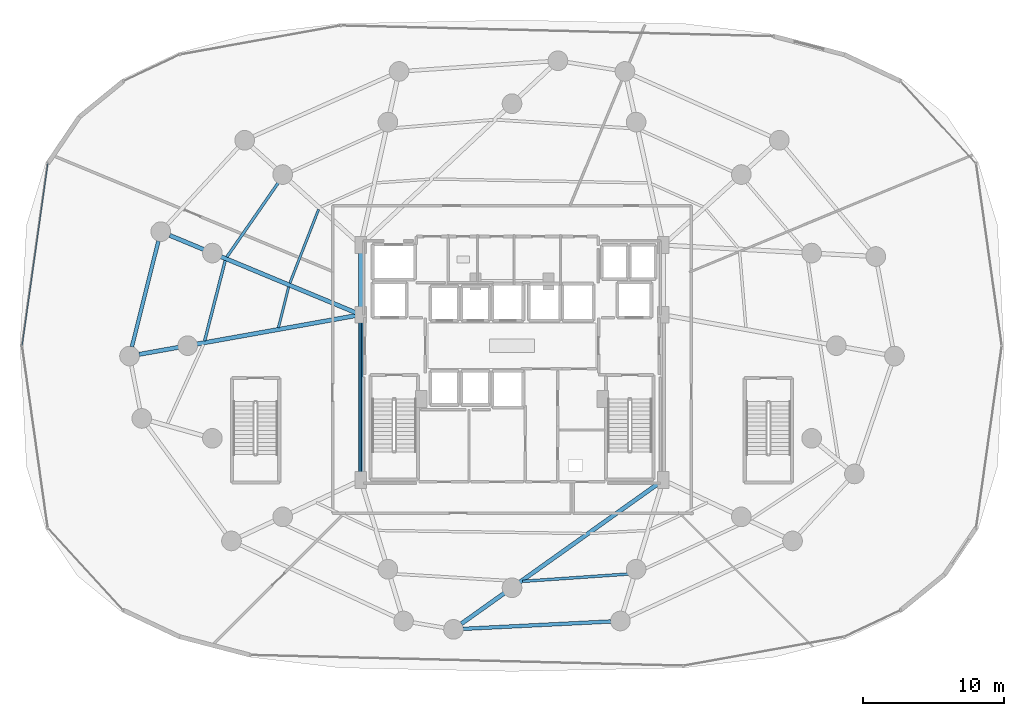
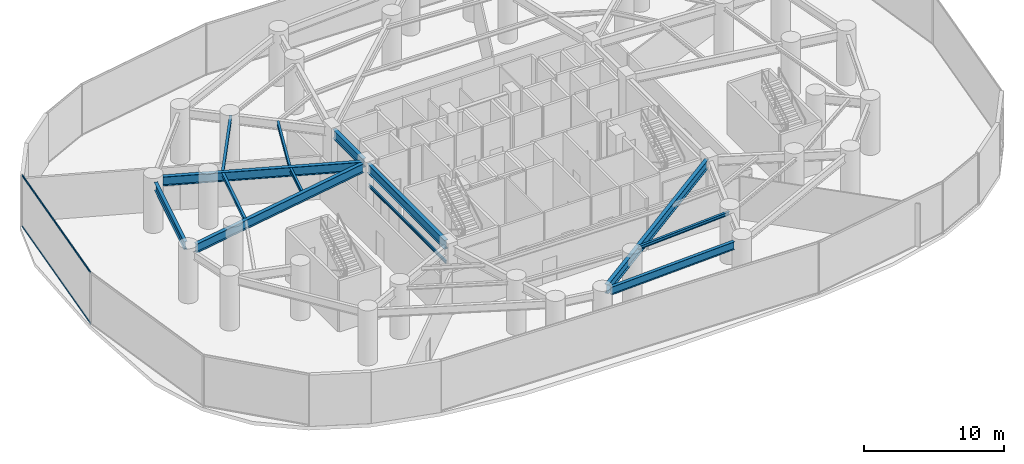
# One storey, part 7 of 26: 13 beams, 2 members, 1 element without a shape of its own.
"""IFC4 building model written with IfcOpenShell, lengths in metres."""

from ifc_helpers import new_model, si_unit, direction, frame, origin, origin_2d, place, context, subcontext, project, spatial, hollow_rectangle, i_section, extrude, material, material_profile, profile_set, type_object, element, aggregate, save


model = new_model("IFC4")

# Units and contexts
model_context = context("Model", 3, precision=1e-05, world=origin(), true_north=direction((0.0, 1.0)))
body_context = subcontext(model_context, "Body", "Model", "MODEL_VIEW")
ifc_project = project(units=[si_unit("LENGTHUNIT", "METRE"), si_unit("AREAUNIT", "SQUARE_METRE"), si_unit("VOLUMEUNIT", "CUBIC_METRE"), si_unit("PLANEANGLEUNIT", "RADIAN"), si_unit("MASSUNIT", "GRAM", prefix="KILO")], contexts=[model_context])

# Site, building, storey
site_placement = place(None, origin())
site = spatial("IfcSite", under=ifc_project, at=site_placement, CompositionType="ELEMENT")
building_placement = place(site_placement, origin())
building = spatial("IfcBuilding", under=site, at=building_placement, Name="Vorneva Point Tower", CompositionType="ELEMENT")
storey_placement = place(building_placement, frame((0.0, 0.0, 14.39990234375)))
storey = spatial("IfcBuildingStorey", under=building, at=storey_placement, Name="L03", CompositionType="ELEMENT", Elevation=14.39990234375)

# Beams
ifc_material_1 = material(Name="Steel S355", Category="steel")
ifc_material_profile_1 = material_profile(ifc_material_1, i_section(OverallWidth=0.300048828125, OverallDepth=0.7880859375, WebThickness=0.014404296875, FlangeThickness=0.02197265625, at=origin_2d()), Name="80Sh1")
ifc_profile_set_1 = profile_set([ifc_material_profile_1], Name="Steel S355")
beam_type_1 = type_object("IfcBeamType", Name="BM-GRD-80Sh1", PredefinedType="USERDEFINED", material=ifc_profile_set_1)
beam_1_placement = place(storey_placement, frame((13.67431640625, 33.84130859375, 4.086181640625), z_axis=(0.923446675724, -0.383726774014, 0.0), x_axis=(0.383726774014, 0.923446675724, 0.0)))
element("IfcBeam", 1, at=beam_1_placement, inside=storey, type_object=beam_type_1, Name="L03 Radial Primary Girder 08", ObjectType="GIRDER", PredefinedType="USERDEFINED", context=body_context, shape_type="SweptSolid", body=[
    extrude(i_section(OverallWidth=0.300048828125, OverallDepth=0.7880859375, WebThickness=0.014404296875, FlangeThickness=0.02197265625, at=origin_2d()), origin(), (0.0, 0.0, 1.0), 14.361083984375),
])
beam_2_placement = place(storey_placement, frame((11.4951171875, 25.382080078125, 4.086181640625), z_axis=(0.984378315353, 0.17606627236, 0.0), x_axis=(-0.17606627236, 0.984378315353, 0.0)))
element("IfcBeam", 2, at=beam_2_placement, inside=storey, type_object=beam_type_1, Name="L03 Radial Primary Girder 09", ObjectType="GIRDER", PredefinedType="USERDEFINED", context=body_context, shape_type="SweptSolid", body=[
    extrude(i_section(OverallWidth=0.300048828125, OverallDepth=0.7880859375, WebThickness=0.014404296875, FlangeThickness=0.02197265625, at=origin_2d()), origin(), (0.0, 0.0, 1.0), 15.664794921875),
])
beam_3_placement = place(storey_placement, frame((34.40087890625, 6.23876953125, 4.086181640625), z_axis=(0.814753215517, 0.579807897328, 0.0), x_axis=(-0.579807897328, 0.814753215517, 0.0)))
element("IfcBeam", 3, at=beam_3_placement, inside=storey, type_object=beam_type_1, Name="L03 Radial Primary Girder 13", ObjectType="GIRDER", PredefinedType="USERDEFINED", context=body_context, shape_type="SweptSolid", body=[
    extrude(i_section(OverallWidth=0.300048828125, OverallDepth=0.7880859375, WebThickness=0.014404296875, FlangeThickness=0.02197265625, at=origin_2d()), origin(), (0.0, 0.0, 1.0), 17.271484375),
])
beam_4_placement = place(storey_placement, frame((27.25, 16.77001953125, 4.086181640625), z_axis=(0.0, 1.0, 0.0), x_axis=(-1.0, 0.0, 0.0)))
element("IfcBeam", 4, at=beam_4_placement, inside=storey, type_object=beam_type_1, Name="L03 Core Tie Girder CT1", ObjectType="GIRDER", PredefinedType="USERDEFINED", context=body_context, shape_type="SweptSolid", body=[
    extrude(i_section(OverallWidth=0.300048828125, OverallDepth=0.7880859375, WebThickness=0.014404296875, FlangeThickness=0.02197265625, at=origin_2d()), origin(), (0.0, 0.0, 1.0), 11.10986328125),
])
beam_5_placement = place(storey_placement, frame((27.25, 28.52001953125, 4.086181640625), z_axis=(0.0, 1.0, 0.0), x_axis=(-1.0, 0.0, 0.0)))
element("IfcBeam", 5, at=beam_5_placement, inside=storey, type_object=beam_type_1, Name="L03 Core Tie Girder CT2", ObjectType="GIRDER", PredefinedType="USERDEFINED", context=body_context, shape_type="SweptSolid", body=[
    extrude(i_section(OverallWidth=0.300048828125, OverallDepth=0.7880859375, WebThickness=0.014404296875, FlangeThickness=0.02197265625, at=origin_2d()), origin(), (0.0, 0.0, 1.0), 4.31005859375),
])
ifc_material_profile_2 = material_profile(ifc_material_1, i_section(OverallWidth=0.1240234375, OverallDepth=0.248046875, WebThickness=0.0048828125, FlangeThickness=0.008056640625, at=origin_2d()), Name="25B1")
ifc_profile_set_2 = profile_set([ifc_material_profile_2], Name="Steel S355")
beam_type_2 = type_object("IfcBeamType", Name="BM-LNT-25B1", PredefinedType="LINTEL", material=ifc_profile_set_2)
beam_6_placement = place(storey_placement, frame((27.25, 16.7900390625, 2.550048828125), z_axis=(0.0, 1.0, 0.0), x_axis=(-1.0, 0.0, 0.0)))
element("IfcBeam", 6, at=beam_6_placement, inside=storey, type_object=beam_type_2, Name="L03 Core Opening Lintel Beam W", PredefinedType="LINTEL", context=body_context, shape_type="SweptSolid", body=[
    extrude(i_section(OverallWidth=0.1240234375, OverallDepth=0.248046875, WebThickness=0.0048828125, FlangeThickness=0.008056640625, at=origin_2d()), origin(), (0.0, 0.0, 1.0), 11.070068359375),
])
ifc_material_profile_3 = material_profile(ifc_material_1, i_section(OverallWidth=0.199951171875, OverallDepth=0.291015625, WebThickness=0.008056640625, FlangeThickness=0.010986328125, at=origin_2d()), Name="30Sh1")
ifc_profile_set_3 = profile_set([ifc_material_profile_3], Name="Steel S355")
beam_type_3 = type_object("IfcBeamType", Name="BM-SEC-30Sh1", PredefinedType="BEAM", material=ifc_profile_set_3)
beam_7_placement = place(storey_placement, frame((21.679931640625, 37.9970703125, 4.334716796875), z_axis=(-0.569737431536, -0.821826781692, 0.0), x_axis=(0.821826781692, -0.569737431536, 0.0)))
element("IfcBeam", 7, at=beam_7_placement, inside=storey, type_object=beam_type_3, Name="L03 Secondary Floor Beam 1.07", PredefinedType="BEAM", context=body_context, shape_type="SweptSolid", body=[
    extrude(i_section(OverallWidth=0.199951171875, OverallDepth=0.291015625, WebThickness=0.008056640625, FlangeThickness=0.010986328125, at=origin_2d()), origin(), (0.0, 0.0, 1.0), 6.930419921875),
])
beam_8_placement = place(storey_placement, frame((17.61865234375, 32.054443359375, 4.334716796875), z_axis=(-0.248163140001, -0.968718254161, 0.0), x_axis=(0.968718254161, -0.248163140001, 0.0)))
element("IfcBeam", 8, at=beam_8_placement, inside=storey, type_object=beam_type_3, Name="L03 Secondary Floor Beam 1.08", PredefinedType="BEAM", context=body_context, shape_type="SweptSolid", body=[
    extrude(i_section(OverallWidth=0.199951171875, OverallDepth=0.291015625, WebThickness=0.008056640625, FlangeThickness=0.010986328125, at=origin_2d()), origin(), (0.0, 0.0, 1.0), 5.895751953125),
])
beam_9_placement = place(storey_placement, frame((38.76025390625, 9.25244140625, 4.334716796875), z_axis=(0.997623476324, 0.068901375076, 0.0), x_axis=(-0.068901375076, 0.997623476324, 0.0)))
element("IfcBeam", 9, at=beam_9_placement, inside=storey, type_object=beam_type_3, Name="L03 Secondary Floor Beam 1.13", PredefinedType="BEAM", context=body_context, shape_type="SweptSolid", body=[
    extrude(i_section(OverallWidth=0.199951171875, OverallDepth=0.291015625, WebThickness=0.008056640625, FlangeThickness=0.010986328125, at=origin_2d()), origin(), (0.0, 0.0, 1.0), 7.848388671875),
])
ifc_material_profile_4 = material_profile(ifc_material_1, i_section(OverallWidth=0.174072265625, OverallDepth=0.345947265625, WebThickness=0.006103515625, FlangeThickness=0.009033203125, at=origin_2d()), Name="35B1")
ifc_profile_set_4 = profile_set([ifc_material_profile_4], Name="Steel S355")
beam_type_4 = type_object("IfcBeamType", Name="BM-SEC-35B1", PredefinedType="BEAM", material=ifc_profile_set_4)
beam_10_placement = place(storey_placement, frame((24.253173828125, 35.68310546875, 4.30712890625), z_axis=(-0.362984627643, -0.931795127748, 0.0), x_axis=(0.931795127748, -0.362984627643, 0.0)))
element("IfcBeam", 10, at=beam_10_placement, inside=storey, type_object=beam_type_4, Name="L03 Secondary Floor Beam 2.07", PredefinedType="BEAM", context=body_context, shape_type="SweptSolid", body=[
    extrude(i_section(OverallWidth=0.174072265625, OverallDepth=0.345947265625, WebThickness=0.006103515625, FlangeThickness=0.009033203125, at=origin_2d()), origin(), (0.0, 0.0, 1.0), 5.62353515625),
])
beam_11_placement = place(storey_placement, frame((22.128173828125, 30.1806640625, 4.30712890625), z_axis=(-0.244283406001, -0.969703881374, 0.0), x_axis=(0.969703881374, -0.244283406001, 0.0)))
element("IfcBeam", 11, at=beam_11_placement, inside=storey, type_object=beam_type_4, Name="L03 Secondary Floor Beam 2.08", PredefinedType="BEAM", context=body_context, shape_type="SweptSolid", body=[
    extrude(i_section(OverallWidth=0.174072265625, OverallDepth=0.345947265625, WebThickness=0.006103515625, FlangeThickness=0.009033203125, at=origin_2d()), origin(), (0.0, 0.0, 1.0), 2.990234375),
])
ifc_material_profile_5 = material_profile(ifc_material_1, i_section(OverallWidth=0.260009765625, OverallDepth=0.69091796875, WebThickness=0.011962890625, FlangeThickness=0.015380859375, at=origin_2d()), Name="70B1")
ifc_profile_set_5 = profile_set([ifc_material_profile_5], Name="Steel S355")
beam_type_5 = type_object("IfcBeamType", Name="BM-SPN-70B1", PredefinedType="SPANDREL", material=ifc_profile_set_5)
beam_12_placement = place(storey_placement, frame((12.872314453125, 33.44091796875, 4.134521484375), z_axis=(-0.243602969388, -0.969875040047, 0.0), x_axis=(0.969875040047, -0.243602969388, 0.0)))
element("IfcBeam", 12, at=beam_12_placement, inside=storey, type_object=beam_type_5, Name="L03 Perimeter Spandrel Ring Beam 08", PredefinedType="SPANDREL", context=body_context, shape_type="SweptSolid", body=[
    extrude(i_section(OverallWidth=0.260009765625, OverallDepth=0.69091796875, WebThickness=0.011962890625, FlangeThickness=0.015380859375, at=origin_2d()), origin(), (0.0, 0.0, 1.0), 7.7490234375),
])
beam_13_placement = place(storey_placement, frame((34.5244140625, 5.874267578125, 4.134521484375), z_axis=(0.998743400092, 0.050116073, 0.0), x_axis=(-0.050116073, 0.998743400092, 0.0)))
element("IfcBeam", 13, at=beam_13_placement, inside=storey, type_object=beam_type_5, Name="L03 Perimeter Spandrel Ring Beam 13", PredefinedType="SPANDREL", context=body_context, shape_type="SweptSolid", body=[
    extrude(i_section(OverallWidth=0.260009765625, OverallDepth=0.69091796875, WebThickness=0.011962890625, FlangeThickness=0.015380859375, at=origin_2d()), origin(), (0.0, 0.0, 1.0), 10.5078125),
])

# Curtain wall, members
ifc_material_2 = material(Name="Pale anodised aluminium", Category="aluminium")
curtain_wall_type = type_object("IfcCurtainWallType", Name="CW-POD-SYS", PredefinedType="NOTDEFINED", material=ifc_material_2)
curtain_wall_placement = place(storey_placement, origin())
curtain_wall = element("IfcCurtainWall", 14, at=curtain_wall_placement, inside=storey, type_object=curtain_wall_type, Name="L03 Unitised Curtain Wall CW-L03-R03", PredefinedType="NOTDEFINED")
ifc_material_profile_6 = material_profile(ifc_material_2, hollow_rectangle(XDim=0.074951171875, YDim=0.14990234375, WallThickness=0.00390625, at=origin_2d()), Name="AL-TRN 150x75x4")
ifc_profile_set_6 = profile_set([ifc_material_profile_6], Name="Pale anodised aluminium")
member_type = type_object("IfcMemberType", Name="CW-TRN-150", PredefinedType="USERDEFINED", material=ifc_profile_set_6)
member_1_placement = place(storey_placement, frame((5.009765625, 38.9462890625, 0.02001953125), z_axis=(-0.139528352326, -0.990218076434, 0.0), x_axis=(0.990218076434, -0.139528352326, 0.0)))
member_1 = element("IfcMember", 15, at=member_1_placement, type_object=member_type, Name="CW-L03-R03 Transom 01.1", ObjectType="TRANSOM", PredefinedType="USERDEFINED", context=body_context, shape_type="SweptSolid", body=[
    extrude(hollow_rectangle(XDim=0.074951171875, YDim=0.14990234375, WallThickness=0.00390625, at=origin_2d()), origin(), (0.0, 0.0, 1.0), 13.07421875),
])
member_2_placement = place(storey_placement, frame((5.009765625, 38.9462890625, 4.460205078125), z_axis=(-0.139528352326, -0.990218076434, 0.0), x_axis=(0.990218076434, -0.139528352326, 0.0)))
member_2 = element("IfcMember", 16, at=member_2_placement, type_object=member_type, Name="CW-L03-R03 Transom 01.2", ObjectType="TRANSOM", PredefinedType="USERDEFINED", context=body_context, shape_type="SweptSolid", body=[
    extrude(hollow_rectangle(XDim=0.074951171875, YDim=0.14990234375, WallThickness=0.00390625, at=origin_2d()), origin(), (0.0, 0.0, 1.0), 13.07421875),
])
aggregate(curtain_wall, [member_1, member_2])

save(model, "model.ifc")
